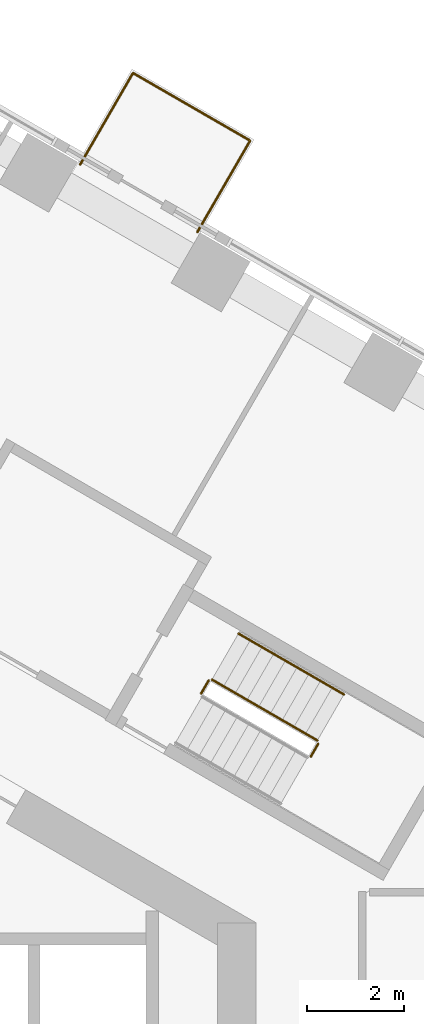
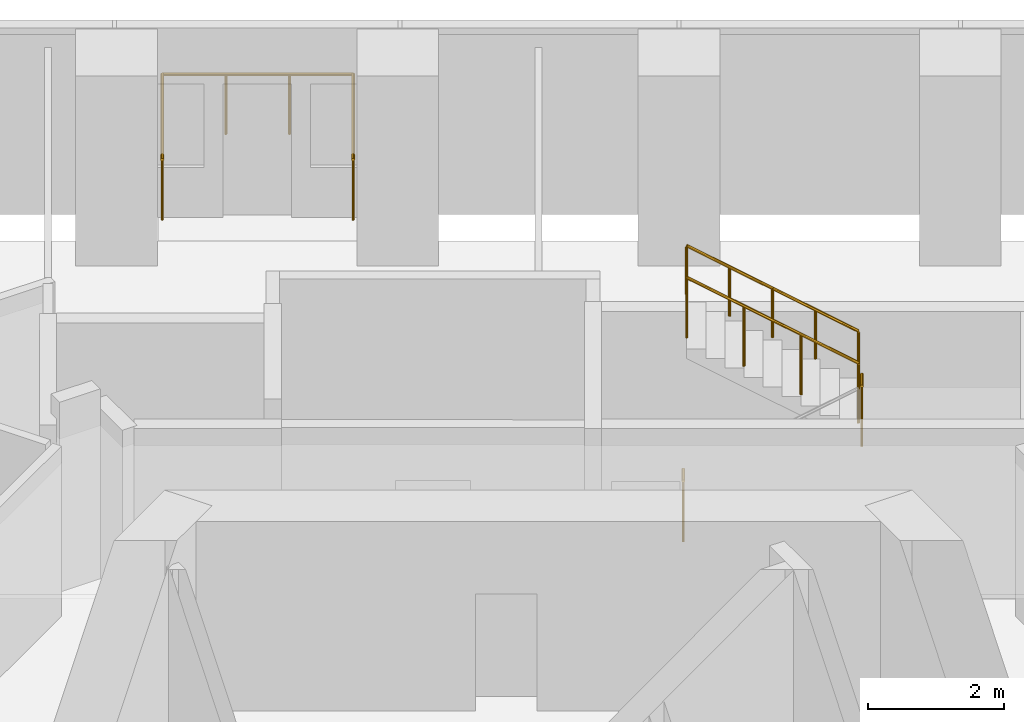
# One storey, part 20 of 20: 6 railings.
"""IFC4 building model written with IfcOpenShell, lengths in metres."""

from ifc_helpers import new_model, si_unit, direction, frame, origin, origin_2d, place, context, subcontext, project, spatial, circle, extrude, material, type_object, element, save


model = new_model("IFC4")

# Units and contexts
model_context = context("Model", 3, precision=1e-05, world=origin(), true_north=direction((0.0, 1.0)))
body_context = subcontext(model_context, "Body", "Model", "MODEL_VIEW")
ifc_project = project(units=[si_unit("LENGTHUNIT", "METRE"), si_unit("AREAUNIT", "SQUARE_METRE"), si_unit("VOLUMEUNIT", "CUBIC_METRE"), si_unit("PLANEANGLEUNIT", "RADIAN"), si_unit("MASSUNIT", "GRAM", prefix="KILO")], contexts=[model_context])

# Site, building, storey
site_placement = place(None, origin())
site = spatial("IfcSite", under=ifc_project, at=site_placement, CompositionType="ELEMENT")
building_placement = place(site_placement, origin())
building = spatial("IfcBuilding", under=site, at=building_placement, Name="Ayvan Gate Tower", CompositionType="ELEMENT")
storey_placement = place(building_placement, frame((0.0, 0.0, 28.89990234375)))
storey = spatial("IfcBuildingStorey", under=building, at=storey_placement, Name="L06", CompositionType="ELEMENT", Elevation=28.89990234375)

# Railings
ifc_material_1 = material(Name="Stainless steel 316 and laminated glass", Category="steel")
railing_type_1 = type_object("IfcRailingType", Name="Balcony balustrade 1100", PredefinedType="BALUSTRADE", material=ifc_material_1)
railing_1_placement = place(storey_placement, frame((8.28173828125, 19.78515625, 0.0)))
element("IfcRailing", 1, at=railing_1_placement, inside=storey, type_object=railing_type_1, Name="Balcony balustrade BAL-L06-1", PredefinedType="BALUSTRADE", context=body_context, shape_type="SweptSolid", body=[
    extrude(circle(Radius=0.02490234375, at=origin_2d()), frame((0.0, 0.0, 1.0751953125), z_axis=(0.500011965869, 0.866018495177, 0.0), x_axis=(-0.866018495177, 0.500011965869, 0.0)), (0.0, 0.0, 1.0), 2.18994140625),
    extrude(circle(Radius=0.02490234375, at=origin_2d()), frame((1.094970703125, 1.896484375, 1.0751953125), z_axis=(-0.866024457297, 0.500001639361, 0.0), x_axis=(-0.500001639361, -0.866024457297, 0.0)), (0.0, 0.0, 1.0), 2.80078125),
    extrude(circle(Radius=0.02490234375, at=origin_2d()), frame((-1.33056640625, 3.296875, 1.0751953125), z_axis=(-0.500095571584, -0.865970218473, 0.0), x_axis=(0.865970218473, -0.500095571584, 0.0)), (0.0, 0.0, 1.0), 2.18994140625),
    extrude(circle(Radius=0.02001953125, at=origin_2d()), origin(), (0.0, 0.0, 1.0), 1.050048828125),
    extrude(circle(Radius=0.02001953125, at=origin_2d()), frame((0.54736328125, 0.9482421875, 0.0)), (0.0, 0.0, 1.0), 1.050048828125),
    extrude(circle(Radius=0.02001953125, at=origin_2d()), frame((1.094970703125, 1.896484375, 0.0)), (0.0, 0.0, 1.0), 1.050048828125),
    extrude(circle(Radius=0.02001953125, at=origin_2d()), frame((0.286376953125, 2.36328125, 0.0)), (0.0, 0.0, 1.0), 1.050048828125),
    extrude(circle(Radius=0.02001953125, at=origin_2d()), frame((-0.52197265625, 2.830078125, 0.0)), (0.0, 0.0, 1.0), 1.050048828125),
    extrude(circle(Radius=0.02001953125, at=origin_2d()), frame((-1.33056640625, 3.296875, 0.0)), (0.0, 0.0, 1.0), 1.050048828125),
    extrude(circle(Radius=0.02001953125, at=origin_2d()), frame((-1.878173828125, 2.3486328125, 0.0)), (0.0, 0.0, 1.0), 1.050048828125),
    extrude(circle(Radius=0.02001953125, at=origin_2d()), frame((-2.42578125, 1.400390625, 0.0)), (0.0, 0.0, 1.0), 1.050048828125),
])
ifc_material_2 = material(Name="Stainless steel balustrade", Category="steel")
railing_type_2 = type_object("IfcRailingType", Name="RL-GUARD-1100", PredefinedType="GUARDRAIL", material=ifc_material_2)
railing_2_placement = place(storey_placement, frame((10.6318359375, 8.9248046875, 1.7001953125)))
element("IfcRailing", 2, at=railing_2_placement, inside=storey, type_object=railing_type_2, Name="L06 STS1 stair guard 2", PredefinedType="GUARDRAIL", context=body_context, shape_type="SweptSolid", body=[
    extrude(circle(Radius=0.02392578125, at=origin_2d()), frame((0.0, 0.0, 1.076171875), z_axis=(0.499949632511, 0.866054481515, 0.0), x_axis=(-0.866054481515, 0.499949632511, 0.0)), (0.0, 0.0, 1.0), 0.31005859375),
    extrude(circle(Radius=0.02099609375, at=origin_2d()), origin(), (0.0, 0.0, 1.0), 1.052001953125),
    extrude(circle(Radius=0.02099609375, at=origin_2d()), frame((0.155029296875, 0.2685546875, 0.0)), (0.0, 0.0, 1.0), 1.052001953125),
])
railing_3_placement = place(storey_placement, frame((10.7685546875, 9.261474609375, 1.8701171875)))
element("IfcRailing", 3, at=railing_3_placement, inside=storey, type_object=railing_type_2, Name="L06 STS1 stair guard 3", PredefinedType="GUARDRAIL", context=body_context, shape_type="SweptSolid", body=[
    extrude(circle(Radius=0.02392578125, at=origin_2d()), frame((0.0, 0.0, 1.076171875), z_axis=(-0.740261155115, 0.427395438142, 0.518986090067), x_axis=(-0.500004791531, -0.866022637375, 0.0)), (0.0, 0.0, 1.0), 2.947998046875),
    extrude(circle(Radius=0.02099609375, at=origin_2d()), origin(), (0.0, 0.0, 1.0), 1.052001953125),
    extrude(circle(Radius=0.02099609375, at=origin_2d()), frame((-0.7275390625, 0.419921875, 0.510009765625)), (0.0, 0.0, 1.0), 1.052001953125),
    extrude(circle(Radius=0.02099609375, at=origin_2d()), frame((-1.454833984375, 0.840087890625, 1.02001953125)), (0.0, 0.0, 1.0), 1.052001953125),
    extrude(circle(Radius=0.02099609375, at=origin_2d()), frame((-2.182373046875, 1.260009765625, 1.530029296875)), (0.0, 0.0, 1.0), 1.052001953125),
])
railing_4_placement = place(storey_placement, frame((8.36279296875, 10.23486328125, 0.0)))
element("IfcRailing", 4, at=railing_4_placement, inside=storey, type_object=railing_type_2, Name="L06 STS1 stair guard 4", PredefinedType="GUARDRAIL", context=body_context, shape_type="SweptSolid", body=[
    extrude(circle(Radius=0.02392578125, at=origin_2d()), frame((0.0, 0.0, 1.076171875), z_axis=(0.500290723946, 0.86585748916, 0.0), x_axis=(-0.86585748916, 0.500290723946, 0.0)), (0.0, 0.0, 1.0), 0.309814453125),
    extrude(circle(Radius=0.02099609375, at=origin_2d()), origin(), (0.0, 0.0, 1.0), 1.052001953125),
    extrude(circle(Radius=0.02099609375, at=origin_2d()), frame((0.155029296875, 0.268310546875, 0.0)), (0.0, 0.0, 1.0), 1.052001953125),
])
railing_type_3 = type_object("IfcRailingType", Name="RL-HANDRAIL-900", PredefinedType="HANDRAIL", material=ifc_material_2)
railing_5_placement = place(storey_placement, frame((11.318603515625, 10.214111328125, 1.8701171875)))
element("IfcRailing", 5, at=railing_5_placement, inside=storey, type_object=railing_type_3, Name="L06 STS1 stair handrail 3", PredefinedType="HANDRAIL", context=body_context, shape_type="SweptSolid", body=[
    extrude(circle(Radius=0.02392578125, at=origin_2d()), frame((0.0, 0.0, 0.8759765625), z_axis=(-0.740304193401, 0.427455284825, 0.518875399983), x_axis=(-0.500035496587, -0.86600490885, 0.0)), (0.0, 0.0, 1.0), 1.47412109375),
    extrude(circle(Radius=0.02099609375, at=origin_2d()), origin(), (0.0, 0.0, 1.0), 0.851806640625),
    extrude(circle(Radius=0.02099609375, at=origin_2d()), frame((-0.545654296875, 0.31494140625, 0.38232421875)), (0.0, 0.0, 1.0), 0.851806640625),
    extrude(circle(Radius=0.02099609375, at=origin_2d()), frame((-1.09130859375, 0.630126953125, 0.764892578125)), (0.0, 0.0, 1.0), 0.851806640625),
])
railing_6_placement = place(storey_placement, frame((10.227294921875, 10.84423828125, 2.635009765625)))
element("IfcRailing", 6, at=railing_6_placement, inside=storey, type_object=railing_type_3, Name="L06 STS1 stair handrail 4", PredefinedType="HANDRAIL", context=body_context, shape_type="SweptSolid", body=[
    extrude(circle(Radius=0.02392578125, at=origin_2d()), frame((0.0, 0.0, 0.8759765625), z_axis=(-0.740292964666, 0.42728318766, 0.519033143459), x_axis=(-0.499890179513, -0.866088799389, 0.0)), (0.0, 0.0, 1.0), 1.47412109375),
    extrude(circle(Radius=0.02099609375, at=origin_2d()), origin(), (0.0, 0.0, 1.0), 0.851806640625),
    extrude(circle(Radius=0.02099609375, at=origin_2d()), frame((-0.545654296875, 0.31494140625, 0.382568359375)), (0.0, 0.0, 1.0), 0.851806640625),
    extrude(circle(Radius=0.02099609375, at=origin_2d()), frame((-1.09130859375, 0.6298828125, 0.76513671875)), (0.0, 0.0, 1.0), 0.851806640625),
])

save(model, "model.ifc")
